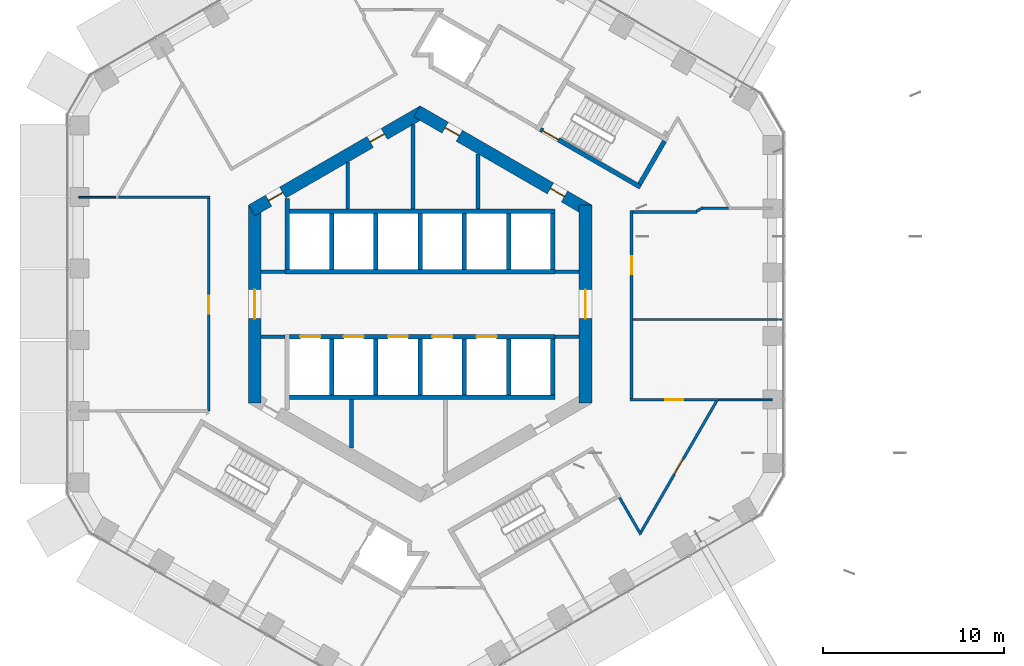
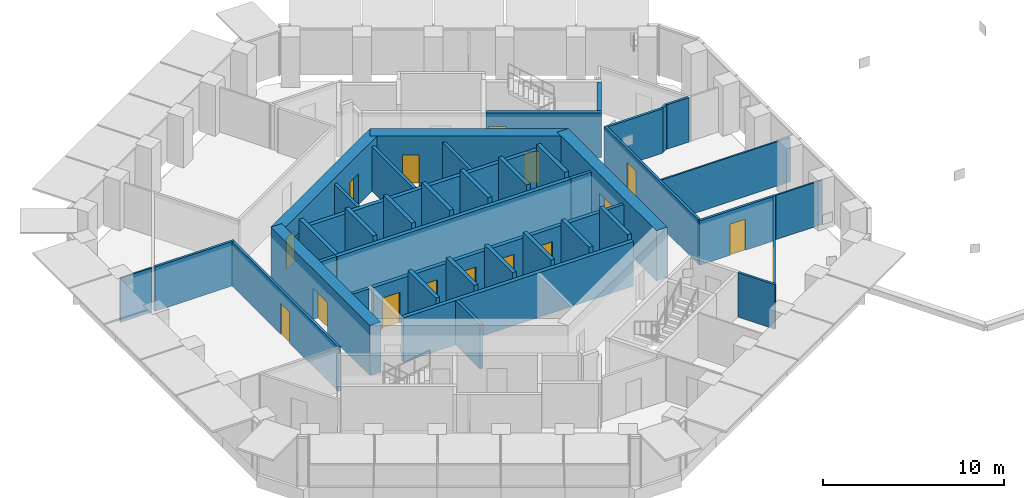
# One storey, part 14 of 21: 43 walls, 16 doors, 16 openings.
"""IFC4 building model written with IfcOpenShell, lengths in metres."""

from ifc_helpers import new_model, si_unit, direction, frame, frame_2d, origin, place, context, subcontext, project, spatial, rectangle, extrude, material, layer, layer_set, type_object, element, fill, save


model = new_model("IFC4")

# Units and contexts
model_context = context("Model", 3, precision=1e-05, world=origin(), true_north=direction((0.0, 1.0)))
body_context = subcontext(model_context, "Body", "Model", "MODEL_VIEW")
ifc_project = project(units=[si_unit("LENGTHUNIT", "METRE"), si_unit("AREAUNIT", "SQUARE_METRE"), si_unit("VOLUMEUNIT", "CUBIC_METRE"), si_unit("PLANEANGLEUNIT", "RADIAN"), si_unit("MASSUNIT", "GRAM", prefix="KILO")], contexts=[model_context])

# Site, building, storey
site_placement = place(None, origin())
site = spatial("IfcSite", under=ifc_project, at=site_placement, CompositionType="ELEMENT")
building_placement = place(site_placement, origin())
building = spatial("IfcBuilding", under=site, at=building_placement, Name="Ayvan Gate Tower", CompositionType="ELEMENT")
storey_placement = place(building_placement, frame((0.0, 0.0, 117.10009765625)))
storey = spatial("IfcBuildingStorey", under=building, at=storey_placement, Name="L31", CompositionType="ELEMENT", Elevation=117.10009765625)

# Wall, opening, door
ifc_material_1 = material(Name="Concrete C70/85", Category="concrete")
ifc_layer_1 = layer(ifc_material_1, 0.699951171875)
ifc_layer_set_1 = layer_set([ifc_layer_1], Name="Concrete C70/85")
wall_type_1 = type_object("IfcWallType", Name="Core wall 700 C70/85", PredefinedType="SHEAR", material=ifc_layer_set_1)
wall_1_placement = place(storey_placement, frame((9.14990234375, -5.48486328125, 0.0), z_axis=(0.0, 0.0, 1.0), x_axis=(0.0, 1.0, 0.0)))
wall_1 = element("IfcWall", 1, at=wall_1_placement, inside=storey, type_object=wall_type_1, Name="CORE-L31-0", PredefinedType="SHEAR", context=body_context, shape_type="SweptSolid", body=[
    extrude(rectangle(XDim=10.9697265625, YDim=0.699951171875, at=frame_2d((5.48486328125, 0.0))), origin(), (0.0, 0.0, 1.0), 3.39990234375),
])
opening_1_placement = place(wall_1_placement, frame((4.684814453125, 0.0, 0.0)))
opening_1 = element("IfcOpeningElement", 2, at=opening_1_placement, cuts=wall_1, Name="Opening L31-D37", PredefinedType="OPENING", context=body_context, shape_type="SweptSolid", body=[
    extrude(rectangle(XDim=1.60009765625, YDim=2.10009765625, at=frame_2d((0.800048828125, 1.050048828125))), frame((0.0, 0.35986328125, 0.0), z_axis=(0.0, -1.0, 0.0), x_axis=(1.0, 0.0, 0.0)), (0.0, 0.0, 1.0), 0.719970703125),
])
ifc_material_2 = material(Name="Timber door leaf", Category="wood")
door_type_1 = type_object("IfcDoorType", Name="DT-1600", OperationType="NOTDEFINED", PredefinedType="DOOR", material=ifc_material_2)
door_1_placement = place(opening_1_placement, origin())
door_1 = element("IfcDoor", 3, at=door_1_placement, inside=storey, type_object=door_type_1, Name="CD-L31-37", OperationType="SINGLE_SWING_RIGHT", OverallHeight=2.10009765625, OverallWidth=1.60009765625, PredefinedType="DOOR", context=body_context, shape_type="SweptSolid", body=[
    extrude(rectangle(XDim=1.60009765625, YDim=2.10009765625, at=frame_2d((0.800048828125, 1.050048828125))), frame((0.0, 0.02490234375, 0.0), z_axis=(0.0, -1.0, 0.0), x_axis=(1.0, 0.0, 0.0)), (0.0, 0.0, 1.0), 0.050048828125),
])
fill(opening_1, door_1)

# Wall, openings, doors
wall_2_placement = place(storey_placement, frame((9.324951171875, 5.181640625, 0.0), z_axis=(0.0, 0.0, 1.0), x_axis=(-0.866023993627, 0.500002442456, 0.0)))
wall_2 = element("IfcWall", 4, at=wall_2_placement, inside=storey, type_object=wall_type_1, Name="CORE-L31-1", PredefinedType="SHEAR", context=body_context, shape_type="SweptSolid", body=[
    extrude(rectangle(XDim=10.9697265625, YDim=0.699951171875, at=frame_2d((5.48486328125, 0.0))), origin(), (0.0, 0.0, 1.0), 3.39990234375),
])
opening_2_placement = place(wall_2_placement, frame((8.267333984375, 0.0, 0.0)))
opening_2 = element("IfcOpeningElement", 5, at=opening_2_placement, cuts=wall_2, Name="Opening L31-D32", PredefinedType="OPENING", context=body_context, shape_type="SweptSolid", body=[
    extrude(rectangle(XDim=0.89990234375, YDim=2.10009765625, at=frame_2d((0.449951171875, 1.050048828125))), frame((0.0, 0.35986328125, 0.0), z_axis=(0.0, -1.0, 0.0), x_axis=(1.0, 0.0, 0.0)), (0.0, 0.0, 1.0), 0.719970703125),
])
opening_3_placement = place(wall_2_placement, frame((1.547119140625, 0.0, 0.0)))
opening_3 = element("IfcOpeningElement", 6, at=opening_3_placement, cuts=wall_2, Name="Opening L31-D33", PredefinedType="OPENING", context=body_context, shape_type="SweptSolid", body=[
    extrude(rectangle(XDim=0.89990234375, YDim=2.10009765625, at=frame_2d((0.449951171875, 1.050048828125))), frame((0.0, 0.35986328125, 0.0), z_axis=(0.0, -1.0, 0.0), x_axis=(1.0, 0.0, 0.0)), (0.0, 0.0, 1.0), 0.719970703125),
])
door_type_2 = type_object("IfcDoorType", Name="DT-900", OperationType="NOTDEFINED", PredefinedType="DOOR", material=ifc_material_2)
door_2_placement = place(opening_2_placement, origin())
door_2 = element("IfcDoor", 7, at=door_2_placement, inside=storey, type_object=door_type_2, Name="CD-L31-32", OperationType="SINGLE_SWING_LEFT", OverallHeight=2.10009765625, OverallWidth=0.89990234375, PredefinedType="DOOR", context=body_context, shape_type="SweptSolid", body=[
    extrude(rectangle(XDim=0.89990234375, YDim=2.10009765625, at=frame_2d((0.449951171875, 1.050048828125))), frame((0.0, 0.02490234375, 0.0), z_axis=(0.0, -1.0, 0.0), x_axis=(1.0, 0.0, 0.0)), (0.0, 0.0, 1.0), 0.050048828125),
])
fill(opening_2, door_2)
door_3_placement = place(opening_3_placement, origin())
door_3 = element("IfcDoor", 8, at=door_3_placement, inside=storey, type_object=door_type_2, Name="CD-L31-33", OperationType="SINGLE_SWING_RIGHT", OverallHeight=2.10009765625, OverallWidth=0.89990234375, PredefinedType="DOOR", context=body_context, shape_type="SweptSolid", body=[
    extrude(rectangle(XDim=0.89990234375, YDim=2.10009765625, at=frame_2d((0.449951171875, 1.050048828125))), frame((0.0, 0.02490234375, 0.0), z_axis=(0.0, -1.0, 0.0), x_axis=(1.0, 0.0, 0.0)), (0.0, 0.0, 1.0), 0.050048828125),
])
fill(opening_3, door_3)

wall_3_placement = place(storey_placement, frame((0.175048828125, 10.66650390625, 0.0), z_axis=(0.0, 0.0, 1.0), x_axis=(-0.866023993627, -0.500002442456, 0.0)))
wall_3 = element("IfcWall", 9, at=wall_3_placement, inside=storey, type_object=wall_type_1, Name="CORE-L31-2", PredefinedType="SHEAR", context=body_context, shape_type="SweptSolid", body=[
    extrude(rectangle(XDim=10.9697265625, YDim=0.699951171875, at=frame_2d((5.48486328125, 0.0))), origin(), (0.0, 0.0, 1.0), 3.39990234375),
])
opening_4_placement = place(wall_3_placement, frame((8.984619140625, 0.0, 0.0)))
opening_4 = element("IfcOpeningElement", 10, at=opening_4_placement, cuts=wall_3, Name="Opening L31-D30", PredefinedType="OPENING", context=body_context, shape_type="SweptSolid", body=[
    extrude(rectangle(XDim=0.89990234375, YDim=2.10009765625, at=frame_2d((0.449951171875, 1.050048828125))), frame((0.0, 0.35986328125, 0.0), z_axis=(0.0, -1.0, 0.0), x_axis=(1.0, 0.0, 0.0)), (0.0, 0.0, 1.0), 0.719970703125),
])
opening_5_placement = place(wall_3_placement, frame((2.4951171875, 0.0, 0.0)))
opening_5 = element("IfcOpeningElement", 11, at=opening_5_placement, cuts=wall_3, Name="Opening L31-D31", PredefinedType="OPENING", context=body_context, shape_type="SweptSolid", body=[
    extrude(rectangle(XDim=0.89990234375, YDim=2.10009765625, at=frame_2d((0.449951171875, 1.050048828125))), frame((0.0, 0.35986328125, 0.0), z_axis=(0.0, -1.0, 0.0), x_axis=(1.0, 0.0, 0.0)), (0.0, 0.0, 1.0), 0.719970703125),
])
door_4_placement = place(opening_4_placement, origin())
door_4 = element("IfcDoor", 12, at=door_4_placement, inside=storey, type_object=door_type_2, Name="CD-L31-30", OperationType="SINGLE_SWING_LEFT", OverallHeight=2.10009765625, OverallWidth=0.89990234375, PredefinedType="DOOR", context=body_context, shape_type="SweptSolid", body=[
    extrude(rectangle(XDim=0.89990234375, YDim=2.10009765625, at=frame_2d((0.449951171875, 1.050048828125))), frame((0.0, 0.02490234375, 0.0), z_axis=(0.0, -1.0, 0.0), x_axis=(1.0, 0.0, 0.0)), (0.0, 0.0, 1.0), 0.050048828125),
])
fill(opening_4, door_4)
door_5_placement = place(opening_5_placement, origin())
door_5 = element("IfcDoor", 13, at=door_5_placement, inside=storey, type_object=door_type_2, Name="CD-L31-31", OperationType="SINGLE_SWING_RIGHT", OverallHeight=2.10009765625, OverallWidth=0.89990234375, PredefinedType="DOOR", context=body_context, shape_type="SweptSolid", body=[
    extrude(rectangle(XDim=0.89990234375, YDim=2.10009765625, at=frame_2d((0.449951171875, 1.050048828125))), frame((0.0, 0.02490234375, 0.0), z_axis=(0.0, -1.0, 0.0), x_axis=(1.0, 0.0, 0.0)), (0.0, 0.0, 1.0), 0.050048828125),
])
fill(opening_5, door_5)

# Wall, opening, door
wall_4_placement = place(storey_placement, frame((-9.14990234375, 5.48486328125, 0.0), z_axis=(0.0, 0.0, 1.0), x_axis=(0.0, -1.0, 0.0)))
wall_4 = element("IfcWall", 14, at=wall_4_placement, inside=storey, type_object=wall_type_1, Name="CORE-L31-3", PredefinedType="SHEAR", context=body_context, shape_type="SweptSolid", body=[
    extrude(rectangle(XDim=10.9697265625, YDim=0.699951171875, at=frame_2d((5.48486328125, 0.0))), origin(), (0.0, 0.0, 1.0), 3.39990234375),
])
opening_6_placement = place(wall_4_placement, frame((4.684814453125, 0.0, 0.0)))
opening_6 = element("IfcOpeningElement", 15, at=opening_6_placement, cuts=wall_4, Name="Opening L31-D38", PredefinedType="OPENING", context=body_context, shape_type="SweptSolid", body=[
    extrude(rectangle(XDim=1.60009765625, YDim=2.10009765625, at=frame_2d((0.800048828125, 1.050048828125))), frame((0.0, 0.35986328125, 0.0), z_axis=(0.0, -1.0, 0.0), x_axis=(1.0, 0.0, 0.0)), (0.0, 0.0, 1.0), 0.719970703125),
])
door_6_placement = place(opening_6_placement, origin())
door_6 = element("IfcDoor", 16, at=door_6_placement, inside=storey, type_object=door_type_1, Name="CD-L31-38", OperationType="SINGLE_SWING_LEFT", OverallHeight=2.10009765625, OverallWidth=1.60009765625, PredefinedType="DOOR", context=body_context, shape_type="SweptSolid", body=[
    extrude(rectangle(XDim=1.60009765625, YDim=2.10009765625, at=frame_2d((0.800048828125, 1.050048828125))), frame((0.0, 0.02490234375, 0.0), z_axis=(0.0, -1.0, 0.0), x_axis=(1.0, 0.0, 0.0)), (0.0, 0.0, 1.0), 0.050048828125),
])
fill(opening_6, door_6)

# Wall
ifc_material_3 = material(Name="Plasterboard on steel stud", Category="steel")
ifc_layer_2 = layer(ifc_material_3, 0.14990234375)
ifc_layer_set_2 = layer_set([ifc_layer_2], Name="Plasterboard on steel stud")
wall_type_2 = type_object("IfcWallType", Name="WT-CORR-150", PredefinedType="PARTITIONING", material=ifc_layer_set_2)
wall_5_placement = place(storey_placement, frame((-11.625, 5.91650390625, 0.0), z_axis=(0.0, 0.0, 1.0), x_axis=(-1.0, 0.0, 0.0)))
element("IfcWall", 17, at=wall_5_placement, inside=storey, type_object=wall_type_2, Name="IW-L31-011", PredefinedType="PARTITIONING", context=body_context, shape_type="SweptSolid", body=[
    extrude(rectangle(XDim=5.083740234375, YDim=0.14990234375, at=frame_2d((2.5419921875, 0.0))), origin(), (0.0, 0.0, 1.0), 3.0),
])

# Wall, opening, door
wall_6_placement = place(storey_placement, frame((-11.699951171875, -5.91650390625, 0.0), z_axis=(0.0, 0.0, 1.0), x_axis=(0.0, 1.0, 0.0)))
wall_6 = element("IfcWall", 18, at=wall_6_placement, inside=storey, type_object=wall_type_2, Name="IW-L31-012", PredefinedType="PARTITIONING", context=body_context, shape_type="SweptSolid", body=[
    extrude(rectangle(XDim=11.7578125, YDim=0.14990234375, at=frame_2d((5.87890625, 0.0))), origin(), (0.0, 0.0, 1.0), 3.0),
])
opening_7_placement = place(wall_6_placement, frame((5.37890625, 0.0, 0.0)))
opening_7 = element("IfcOpeningElement", 19, at=opening_7_placement, cuts=wall_6, Name="Opening L31-D22", PredefinedType="OPENING", context=body_context, shape_type="SweptSolid", body=[
    extrude(rectangle(XDim=1.0, YDim=2.10009765625, at=frame_2d((0.5, 1.050048828125))), frame((0.0, 0.0849609375, 0.0), z_axis=(0.0, -1.0, 0.0), x_axis=(1.0, 0.0, 0.0)), (0.0, 0.0, 1.0), 0.169921875),
])
door_type_3 = type_object("IfcDoorType", Name="DT-1000", OperationType="NOTDEFINED", PredefinedType="DOOR", material=ifc_material_2)
door_7_placement = place(opening_7_placement, origin())
door_7 = element("IfcDoor", 20, at=door_7_placement, inside=storey, type_object=door_type_3, Name="ID-L31-022", OperationType="SINGLE_SWING_LEFT", OverallHeight=2.10009765625, OverallWidth=1.0, PredefinedType="DOOR", context=body_context, shape_type="SweptSolid", body=[
    extrude(rectangle(XDim=1.0, YDim=2.10009765625, at=frame_2d((0.5, 1.050048828125))), frame((0.0, 0.02490234375, 0.0), z_axis=(0.0, -1.0, 0.0), x_axis=(1.0, 0.0, 0.0)), (0.0, 0.0, 1.0), 0.050048828125),
])
fill(opening_7, door_7)

wall_7_placement = place(storey_placement, frame((11.625, -5.299560546875, 0.0), z_axis=(0.0, 0.0, 1.0), x_axis=(1.0, 0.0, 0.0)))
wall_7 = element("IfcWall", 21, at=wall_7_placement, inside=storey, type_object=wall_type_2, Name="IW-L31-086", PredefinedType="PARTITIONING", context=body_context, shape_type="SweptSolid", body=[
    extrude(rectangle(XDim=4.89697265625, YDim=0.14990234375, at=frame_2d((2.448486328125, 0.0))), origin(), (0.0, 0.0, 1.0), 3.0),
])
opening_8_placement = place(wall_7_placement, frame((1.93115234375, 0.0, 0.0)))
opening_8 = element("IfcOpeningElement", 22, at=opening_8_placement, cuts=wall_7, Name="Opening L31-D17", PredefinedType="OPENING", context=body_context, shape_type="SweptSolid", body=[
    extrude(rectangle(XDim=1.0, YDim=2.10009765625, at=frame_2d((0.5, 1.050048828125))), frame((0.0, 0.0849609375, 0.0), z_axis=(0.0, -1.0, 0.0), x_axis=(1.0, 0.0, 0.0)), (0.0, 0.0, 1.0), 0.169921875),
])
door_8_placement = place(opening_8_placement, origin())
door_8 = element("IfcDoor", 23, at=door_8_placement, inside=storey, type_object=door_type_3, Name="ID-L31-017", OperationType="SINGLE_SWING_RIGHT", OverallHeight=2.10009765625, OverallWidth=1.0, PredefinedType="DOOR", context=body_context, shape_type="SweptSolid", body=[
    extrude(rectangle(XDim=1.0, YDim=2.10009765625, at=frame_2d((0.5, 1.050048828125))), frame((0.0, 0.02490234375, 0.0), z_axis=(0.0, -1.0, 0.0), x_axis=(1.0, 0.0, 0.0)), (0.0, 0.0, 1.0), 0.050048828125),
])
fill(opening_8, door_8)

wall_8_placement = place(storey_placement, frame((11.699951171875, -5.224609375, 0.0), z_axis=(0.0, 0.0, 1.0), x_axis=(0.0, 1.0, 0.0)))
wall_8 = element("IfcWall", 24, at=wall_8_placement, inside=storey, type_object=wall_type_2, Name="IW-L31-087", PredefinedType="PARTITIONING", context=body_context, shape_type="SweptSolid", body=[
    extrude(rectangle(XDim=10.399169921875, YDim=0.14990234375, at=frame_2d((5.19970703125, 0.0))), origin(), (0.0, 0.0, 1.0), 3.0),
])
opening_9_placement = place(wall_8_placement, frame((6.865478515625, 0.0, 0.0)))
opening_9 = element("IfcOpeningElement", 25, at=opening_9_placement, cuts=wall_8, Name="Opening L31-D18", PredefinedType="OPENING", context=body_context, shape_type="SweptSolid", body=[
    extrude(rectangle(XDim=1.0, YDim=2.10009765625, at=frame_2d((0.5, 1.050048828125))), frame((0.0, 0.0849609375, 0.0), z_axis=(0.0, -1.0, 0.0), x_axis=(1.0, 0.0, 0.0)), (0.0, 0.0, 1.0), 0.169921875),
])
door_9_placement = place(opening_9_placement, origin())
door_9 = element("IfcDoor", 26, at=door_9_placement, inside=storey, type_object=door_type_3, Name="ID-L31-018", OperationType="SINGLE_SWING_LEFT", OverallHeight=2.10009765625, OverallWidth=1.0, PredefinedType="DOOR", context=body_context, shape_type="SweptSolid", body=[
    extrude(rectangle(XDim=1.0, YDim=2.10009765625, at=frame_2d((0.5, 1.050048828125))), frame((0.0, 0.02490234375, 0.0), z_axis=(0.0, -1.0, 0.0), x_axis=(1.0, 0.0, 0.0)), (0.0, 0.0, 1.0), 0.050048828125),
])
fill(opening_9, door_9)

# Walls
wall_9_placement = place(storey_placement, frame((12.2158203125, -12.75830078125, 0.0), z_axis=(0.0, 0.0, 1.0), x_axis=(-0.499982474044, 0.866035522163, 0.0)))
element("IfcWall", 27, at=wall_9_placement, inside=storey, type_object=wall_type_2, Name="IW-L31-090", PredefinedType="PARTITIONING", context=body_context, shape_type="SweptSolid", body=[
    extrude(rectangle(XDim=2.35693359375, YDim=0.14990234375, at=frame_2d((1.178466796875, 0.0))), origin(), (0.0, 0.0, 1.0), 3.0),
])
wall_10_placement = place(storey_placement, frame((15.307861328125, 5.099609375, 0.0), z_axis=(0.0, 0.0, 1.0), x_axis=(-1.0, 0.0, 0.0)))
element("IfcWall", 28, at=wall_10_placement, inside=storey, type_object=wall_type_2, Name="IW-L31-096", PredefinedType="PARTITIONING", context=body_context, shape_type="SweptSolid", body=[
    extrude(rectangle(XDim=3.532958984375, YDim=0.14990234375, at=frame_2d((1.7666015625, 0.0))), origin(), (0.0, 0.0, 1.0), 3.0),
])
wall_11_placement = place(storey_placement, frame((15.64404296875, 5.337158203125, 0.0), z_axis=(0.0, 0.0, 1.0), x_axis=(-0.866094119867, -0.499880961361, 0.0)))
element("IfcWall", 29, at=wall_11_placement, inside=storey, type_object=wall_type_2, Name="IW-L31-097", PredefinedType="PARTITIONING", context=body_context, shape_type="SweptSolid", body=[
    extrude(rectangle(XDim=0.39990234375, YDim=0.14990234375, at=frame_2d((0.199951171875, 0.0))), origin(), (0.0, 0.0, 1.0), 3.0),
])

# Wall, opening, door
wall_12_placement = place(storey_placement, frame((16.409423828125, -5.364501953125, 0.0), z_axis=(0.0, 0.0, 1.0), x_axis=(-0.499980296409, -0.866036779359, 0.0)))
wall_12 = element("IfcWall", 30, at=wall_12_placement, inside=storey, type_object=wall_type_2, Name="IW-L31-098", PredefinedType="PARTITIONING", context=body_context, shape_type="SweptSolid", body=[
    extrude(rectangle(XDim=8.387451171875, YDim=0.14990234375, at=frame_2d((4.19384765625, 0.0))), origin(), (0.0, 0.0, 1.0), 3.0),
])
opening_10_placement = place(wall_12_placement, frame((3.693603515625, 0.0, 0.0)))
opening_10 = element("IfcOpeningElement", 31, at=opening_10_placement, cuts=wall_12, Name="Opening L31-D28", PredefinedType="OPENING", context=body_context, shape_type="SweptSolid", body=[
    extrude(rectangle(XDim=1.0, YDim=2.10009765625, at=frame_2d((0.5, 1.050048828125))), frame((0.0, 0.0849609375, 0.0), z_axis=(0.0, -1.0, 0.0), x_axis=(1.0, 0.0, 0.0)), (0.0, 0.0, 1.0), 0.169921875),
])
door_10_placement = place(opening_10_placement, origin())
door_10 = element("IfcDoor", 32, at=door_10_placement, inside=storey, type_object=door_type_3, Name="ID-L31-028", OperationType="SINGLE_SWING_LEFT", OverallHeight=2.10009765625, OverallWidth=1.0, PredefinedType="DOOR", context=body_context, shape_type="SweptSolid", body=[
    extrude(rectangle(XDim=1.0, YDim=2.10009765625, at=frame_2d((0.5, 1.050048828125))), frame((0.0, 0.02490234375, 0.0), z_axis=(0.0, -1.0, 0.0), x_axis=(1.0, 0.0, 0.0)), (0.0, 0.0, 1.0), 0.050048828125),
])
fill(opening_10, door_10)

# Walls
wall_13_placement = place(storey_placement, frame((17.064697265625, 5.299560546875, 0.0), z_axis=(0.0, 0.0, 1.0), x_axis=(-1.0, 0.0, 0.0)))
element("IfcWall", 33, at=wall_13_placement, inside=storey, type_object=wall_type_2, Name="IW-L31-100", PredefinedType="PARTITIONING", context=body_context, shape_type="SweptSolid", body=[
    extrude(rectangle(XDim=1.410400390625, YDim=0.14990234375, at=frame_2d((0.705078125, 0.0))), origin(), (0.0, 0.0, 1.0), 3.0),
])
ifc_layer_3 = layer(ifc_material_3, 0.10009765625)
ifc_layer_set_3 = layer_set([ifc_layer_3], Name="Plasterboard on steel stud")
wall_type_3 = type_object("IfcWallType", Name="WT-PART-100", PredefinedType="PARTITIONING", material=ifc_layer_set_3)
wall_14_placement = place(storey_placement, frame((-16.858642578125, 5.91650390625, 0.0), z_axis=(0.0, 0.0, 1.0), x_axis=(-1.0, 0.0, 0.0)))
element("IfcWall", 34, at=wall_14_placement, inside=storey, type_object=wall_type_3, Name="IW-L31-000", PredefinedType="PARTITIONING", context=body_context, shape_type="SweptSolid", body=[
    extrude(rectangle(XDim=2.033447265625, YDim=0.10009765625, at=frame_2d((1.0166015625, 0.0))), origin(), (0.0, 0.0, 1.0), 3.0),
])
wall_15_placement = place(storey_placement, frame((11.77490234375, -0.847900390625, 0.0), z_axis=(0.0, 0.0, 1.0), x_axis=(1.0, 0.0, 0.0)))
element("IfcWall", 35, at=wall_15_placement, inside=storey, type_object=wall_type_3, Name="IW-L31-088", PredefinedType="PARTITIONING", context=body_context, shape_type="SweptSolid", body=[
    extrude(rectangle(XDim=8.231689453125, YDim=0.10009765625, at=frame_2d((4.11572265625, 0.0))), origin(), (0.0, 0.0, 1.0), 3.0),
])
wall_16_placement = place(storey_placement, frame((19.485595703125, -5.299560546875, 0.0), z_axis=(0.0, 0.0, 1.0), x_axis=(-1.0, 0.0, 0.0)))
element("IfcWall", 36, at=wall_16_placement, inside=storey, type_object=wall_type_3, Name="IW-L31-101", PredefinedType="PARTITIONING", context=body_context, shape_type="SweptSolid", body=[
    extrude(rectangle(XDim=2.963623046875, YDim=0.10009765625, at=frame_2d((1.48193359375, 0.0))), origin(), (0.0, 0.0, 1.0), 3.0),
])
ifc_layer_4 = layer(ifc_material_3, 0.199951171875)
ifc_layer_set_4 = layer_set([ifc_layer_4], Name="Plasterboard on steel stud")
wall_type_4 = type_object("IfcWallType", Name="WT-RATED-200", PredefinedType="PARTITIONING", material=ifc_layer_set_4)
for number, where, z_axis, x_axis, name in (
    (37, (-8.800048828125, 1.800048828125, 0.0), (0.0, 0.0, 1.0), (1.0, 0.0, 0.0), "IW-L31-014"),
    (38, (-7.474853515625, -1.800048828125, 0.0), (0.0, 0.0, 1.0), (-1.0, 0.0, 0.0), "IW-L31-023"),
):
    element("IfcWall", number, at=place(storey_placement, frame(where, z_axis=z_axis, x_axis=x_axis)), inside=storey, type_object=wall_type_4, Name=name, PredefinedType="PARTITIONING", context=body_context, shape_type="SweptSolid", body=[
        extrude(rectangle(XDim=1.3251953125, YDim=0.199951171875, at=frame_2d((0.66259765625, 0.0))), origin(), (0.0, 0.0, 1.0), 3.0),
    ])
wall_17_placement = place(storey_placement, frame((-4.0, 7.85205078125, 0.0), z_axis=(0.0, 0.0, 1.0), x_axis=(0.0, -1.0, 0.0)))
element("IfcWall", 39, at=wall_17_placement, inside=storey, type_object=wall_type_4, Name="IW-L31-030", PredefinedType="PARTITIONING", context=body_context, shape_type="SweptSolid", body=[
    extrude(rectangle(XDim=2.5771484375, YDim=0.199951171875, at=frame_2d((1.28857421875, 0.0))), origin(), (0.0, 0.0, 1.0), 3.0),
])
wall_18_placement = place(storey_placement, frame((-3.800048828125, -5.27490234375, 0.0), z_axis=(0.0, 0.0, 1.0), x_axis=(0.0, -1.0, 0.0)))
element("IfcWall", 40, at=wall_18_placement, inside=storey, type_object=wall_type_4, Name="IW-L31-032", PredefinedType="PARTITIONING", context=body_context, shape_type="SweptSolid", body=[
    extrude(rectangle(XDim=2.6923828125, YDim=0.199951171875, at=frame_2d((1.34619140625, 0.0))), origin(), (0.0, 0.0, 1.0), 3.0),
])
wall_19_placement = place(storey_placement, frame((-0.39990234375, 9.930419921875, 0.0), z_axis=(0.0, 0.0, 1.0), x_axis=(0.0, -1.0, 0.0)))
element("IfcWall", 41, at=wall_19_placement, inside=storey, type_object=wall_type_4, Name="IW-L31-048", PredefinedType="PARTITIONING", context=body_context, shape_type="SweptSolid", body=[
    extrude(rectangle(XDim=4.655517578125, YDim=0.199951171875, at=frame_2d((2.32763671875, 0.0))), origin(), (0.0, 0.0, 1.0), 3.0),
])
wall_20_placement = place(storey_placement, frame((3.199951171875, 8.313720703125, 0.0), z_axis=(0.0, 0.0, 1.0), x_axis=(0.0, -1.0, 0.0)))
element("IfcWall", 42, at=wall_20_placement, inside=storey, type_object=wall_type_4, Name="IW-L31-064", PredefinedType="PARTITIONING", context=body_context, shape_type="SweptSolid", body=[
    extrude(rectangle(XDim=3.038818359375, YDim=0.199951171875, at=frame_2d((1.51953125, 0.0))), origin(), (0.0, 0.0, 1.0), 3.0),
])
for number, where, z_axis, x_axis, name in (
    (43, (7.474853515625, 1.800048828125, 0.0), (0.0, 0.0, 1.0), (1.0, 0.0, 0.0), "IW-L31-077"),
    (44, (8.800048828125, -1.800048828125, 0.0), (0.0, 0.0, 1.0), (-1.0, 0.0, 0.0), "IW-L31-083"),
):
    element("IfcWall", number, at=place(storey_placement, frame(where, z_axis=z_axis, x_axis=x_axis)), inside=storey, type_object=wall_type_4, Name=name, PredefinedType="PARTITIONING", context=body_context, shape_type="SweptSolid", body=[
        extrude(rectangle(XDim=1.3251953125, YDim=0.199951171875, at=frame_2d((0.66259765625, 0.0))), origin(), (0.0, 0.0, 1.0), 3.0),
    ])
ifc_material_4 = material(Name="Concrete C50/60", Category="concrete")
ifc_layer_5 = layer(ifc_material_4, 0.25)
ifc_layer_set_5 = layer_set([ifc_layer_5], Name="Concrete C50/60")
wall_type_5 = type_object("IfcWallType", Name="WT-RC-250", PredefinedType="SHEAR", material=ifc_layer_set_5)
wall_21_placement = place(storey_placement, frame((-7.47509765625, 1.800048828125, 0.0), z_axis=(0.0, 0.0, 1.0), x_axis=(1.0, 0.0, 0.0)))
element("IfcWall", 45, at=wall_21_placement, inside=storey, type_object=wall_type_5, Name="IW-L31-019", PredefinedType="SHEAR", context=body_context, shape_type="SweptSolid", body=[
    extrude(rectangle(XDim=14.9501953125, YDim=0.25, at=frame_2d((7.47509765625, 0.0))), origin(), (0.0, 0.0, 1.0), 3.0),
])
wall_22_placement = place(storey_placement, frame((-7.35009765625, 1.925048828125, 0.0), z_axis=(0.0, 0.0, 1.0), x_axis=(0.0, 1.0, 0.0)))
element("IfcWall", 46, at=wall_22_placement, inside=storey, type_object=wall_type_5, Name="IW-L31-021", PredefinedType="SHEAR", context=body_context, shape_type="SweptSolid", body=[
    extrude(rectangle(XDim=3.920654296875, YDim=0.25, at=frame_2d((1.96044921875, 0.0))), origin(), (0.0, 0.0, 1.0), 3.0),
])
for number, where, z_axis, x_axis, name in (
    (47, (-7.22509765625, 5.14990234375, 0.0), (0.0, 0.0, 1.0), (1.0, 0.0, 0.0), "IW-L31-022"),
    (48, (-7.22509765625, -5.14990234375, 0.0), (0.0, 0.0, 1.0), (1.0, 0.0, 0.0), "IW-L31-026"),
):
    element("IfcWall", number, at=place(storey_placement, frame(where, z_axis=z_axis, x_axis=x_axis)), inside=storey, type_object=wall_type_5, Name=name, PredefinedType="SHEAR", context=body_context, shape_type="SweptSolid", body=[
        extrude(rectangle(XDim=14.7001953125, YDim=0.25, at=frame_2d((7.35009765625, 0.0))), origin(), (0.0, 0.0, 1.0), 3.0),
    ])
for number, where, z_axis, x_axis, name in (
    (49, (-4.89990234375, -1.925048828125, 0.0), (0.0, 0.0, 1.0), (0.0, -1.0, 0.0), "IW-L31-027"),
    (50, (-4.89990234375, 5.02490234375, 0.0), (0.0, 0.0, 1.0), (0.0, -1.0, 0.0), "IW-L31-028"),
):
    element("IfcWall", number, at=place(storey_placement, frame(where, z_axis=z_axis, x_axis=x_axis)), inside=storey, type_object=wall_type_5, Name=name, PredefinedType="SHEAR", context=body_context, shape_type="SweptSolid", body=[
        extrude(rectangle(XDim=3.099853515625, YDim=0.25, at=frame_2d((1.5498046875, 0.0))), origin(), (0.0, 0.0, 1.0), 3.39990234375),
    ])

# Wall, openings, doors
wall_23_placement = place(storey_placement, frame((-7.22509765625, -1.800048828125, 0.0), z_axis=(0.0, 0.0, 1.0), x_axis=(1.0, 0.0, 0.0)))
wall_23 = element("IfcWall", 51, at=wall_23_placement, inside=storey, type_object=wall_type_5, Name="IW-L31-029", PredefinedType="SHEAR", context=body_context, shape_type="SweptSolid", body=[
    extrude(rectangle(XDim=14.7001953125, YDim=0.25, at=frame_2d((7.35009765625, 0.0))), origin(), (0.0, 0.0, 1.0), 3.0),
])
opening_11_placement = place(wall_23_placement, frame((0.597412109375, 0.0, 0.0)))
opening_11 = element("IfcOpeningElement", 52, at=opening_11_placement, cuts=wall_23, Name="Opening L31-LD-LR1", PredefinedType="OPENING", context=body_context, shape_type="SweptSolid", body=[
    extrude(rectangle(XDim=1.10009765625, YDim=2.10009765625, at=frame_2d((0.550048828125, 1.050048828125))), frame((0.0, 0.135009765625, 0.0), z_axis=(0.0, -1.0, 0.0), x_axis=(1.0, 0.0, 0.0)), (0.0, 0.0, 1.0), 0.27001953125),
])
opening_12_placement = place(wall_23_placement, frame((3.0, 0.0, 0.0)))
opening_12 = element("IfcOpeningElement", 53, at=opening_12_placement, cuts=wall_23, Name="Opening L31-LD-LR2", PredefinedType="OPENING", context=body_context, shape_type="SweptSolid", body=[
    extrude(rectangle(XDim=1.10009765625, YDim=2.10009765625, at=frame_2d((0.550048828125, 1.050048828125))), frame((0.0, 0.135009765625, 0.0), z_axis=(0.0, -1.0, 0.0), x_axis=(1.0, 0.0, 0.0)), (0.0, 0.0, 1.0), 0.27001953125),
])
opening_13_placement = place(wall_23_placement, frame((5.4501953125, 0.0, 0.0)))
opening_13 = element("IfcOpeningElement", 54, at=opening_13_placement, cuts=wall_23, Name="Opening L31-LD-LR3", PredefinedType="OPENING", context=body_context, shape_type="SweptSolid", body=[
    extrude(rectangle(XDim=1.10009765625, YDim=2.10009765625, at=frame_2d((0.550048828125, 1.050048828125))), frame((0.0, 0.135009765625, 0.0), z_axis=(0.0, -1.0, 0.0), x_axis=(1.0, 0.0, 0.0)), (0.0, 0.0, 1.0), 0.27001953125),
])
opening_14_placement = place(wall_23_placement, frame((7.900146484375, 0.0, 0.0)))
opening_14 = element("IfcOpeningElement", 55, at=opening_14_placement, cuts=wall_23, Name="Opening L31-LD-LR4", PredefinedType="OPENING", context=body_context, shape_type="SweptSolid", body=[
    extrude(rectangle(XDim=1.10009765625, YDim=2.10009765625, at=frame_2d((0.550048828125, 1.050048828125))), frame((0.0, 0.135009765625, 0.0), z_axis=(0.0, -1.0, 0.0), x_axis=(1.0, 0.0, 0.0)), (0.0, 0.0, 1.0), 0.27001953125),
])
opening_15_placement = place(wall_23_placement, frame((10.35009765625, 0.0, 0.0)))
opening_15 = element("IfcOpeningElement", 56, at=opening_15_placement, cuts=wall_23, Name="Opening L31-LD-SV", PredefinedType="OPENING", context=body_context, shape_type="SweptSolid", body=[
    extrude(rectangle(XDim=1.10009765625, YDim=2.10009765625, at=frame_2d((0.550048828125, 1.050048828125))), frame((0.0, 0.135009765625, 0.0), z_axis=(0.0, -1.0, 0.0), x_axis=(1.0, 0.0, 0.0)), (0.0, 0.0, 1.0), 0.27001953125),
])
ifc_material_5 = material(Name="Stainless steel landing door", Category="steel")
door_type_4 = type_object("IfcDoorType", Name="DT-LANDING-1100", OperationType="SLIDING_TO_LEFT", PredefinedType="DOOR", material=ifc_material_5)
door_11_placement = place(opening_11_placement, origin())
door_11 = element("IfcDoor", 57, at=door_11_placement, inside=storey, type_object=door_type_4, Name="ID-L31-001", OperationType="SLIDING_TO_LEFT", OverallHeight=2.10009765625, OverallWidth=1.10009765625, PredefinedType="DOOR", context=body_context, shape_type="SweptSolid", body=[
    extrude(rectangle(XDim=1.10009765625, YDim=2.10009765625, at=frame_2d((0.550048828125, 1.050048828125))), frame((0.0, 0.02490234375, 0.0), z_axis=(0.0, -1.0, 0.0), x_axis=(1.0, 0.0, 0.0)), (0.0, 0.0, 1.0), 0.050048828125),
])
fill(opening_11, door_11)
door_12_placement = place(opening_12_placement, origin())
door_12 = element("IfcDoor", 58, at=door_12_placement, inside=storey, type_object=door_type_4, Name="ID-L31-002", OperationType="SLIDING_TO_LEFT", OverallHeight=2.10009765625, OverallWidth=1.10009765625, PredefinedType="DOOR", context=body_context, shape_type="SweptSolid", body=[
    extrude(rectangle(XDim=1.10009765625, YDim=2.10009765625, at=frame_2d((0.550048828125, 1.050048828125))), frame((0.0, 0.02490234375, 0.0), z_axis=(0.0, -1.0, 0.0), x_axis=(1.0, 0.0, 0.0)), (0.0, 0.0, 1.0), 0.050048828125),
])
fill(opening_12, door_12)
door_13_placement = place(opening_13_placement, origin())
door_13 = element("IfcDoor", 59, at=door_13_placement, inside=storey, type_object=door_type_4, Name="ID-L31-003", OperationType="SLIDING_TO_LEFT", OverallHeight=2.10009765625, OverallWidth=1.10009765625, PredefinedType="DOOR", context=body_context, shape_type="SweptSolid", body=[
    extrude(rectangle(XDim=1.10009765625, YDim=2.10009765625, at=frame_2d((0.550048828125, 1.050048828125))), frame((0.0, 0.02490234375, 0.0), z_axis=(0.0, -1.0, 0.0), x_axis=(1.0, 0.0, 0.0)), (0.0, 0.0, 1.0), 0.050048828125),
])
fill(opening_13, door_13)
door_14_placement = place(opening_14_placement, origin())
door_14 = element("IfcDoor", 60, at=door_14_placement, inside=storey, type_object=door_type_4, Name="ID-L31-004", OperationType="SLIDING_TO_LEFT", OverallHeight=2.10009765625, OverallWidth=1.10009765625, PredefinedType="DOOR", context=body_context, shape_type="SweptSolid", body=[
    extrude(rectangle(XDim=1.10009765625, YDim=2.10009765625, at=frame_2d((0.550048828125, 1.050048828125))), frame((0.0, 0.02490234375, 0.0), z_axis=(0.0, -1.0, 0.0), x_axis=(1.0, 0.0, 0.0)), (0.0, 0.0, 1.0), 0.050048828125),
])
fill(opening_14, door_14)
door_15_placement = place(opening_15_placement, origin())
door_15 = element("IfcDoor", 61, at=door_15_placement, inside=storey, type_object=door_type_4, Name="ID-L31-005", OperationType="SLIDING_TO_LEFT", OverallHeight=2.10009765625, OverallWidth=1.10009765625, PredefinedType="DOOR", context=body_context, shape_type="SweptSolid", body=[
    extrude(rectangle(XDim=1.10009765625, YDim=2.10009765625, at=frame_2d((0.550048828125, 1.050048828125))), frame((0.0, 0.02490234375, 0.0), z_axis=(0.0, -1.0, 0.0), x_axis=(1.0, 0.0, 0.0)), (0.0, 0.0, 1.0), 0.050048828125),
])
fill(opening_15, door_15)

# Walls
for number, where, z_axis, x_axis, name in (
    (62, (-2.449951171875, -1.925048828125, 0.0), (0.0, 0.0, 1.0), (0.0, -1.0, 0.0), "IW-L31-041"),
    (63, (-2.449951171875, 5.02490234375, 0.0), (0.0, 0.0, 1.0), (0.0, -1.0, 0.0), "IW-L31-042"),
    (64, (0.0, -1.925048828125, 0.0), (0.0, 0.0, 1.0), (0.0, -1.0, 0.0), "IW-L31-050"),
    (65, (0.0, 5.02490234375, 0.0), (0.0, 0.0, 1.0), (0.0, -1.0, 0.0), "IW-L31-051"),
    (66, (2.449951171875, -1.925048828125, 0.0), (0.0, 0.0, 1.0), (0.0, -1.0, 0.0), "IW-L31-058"),
    (67, (2.449951171875, 5.02490234375, 0.0), (0.0, 0.0, 1.0), (0.0, -1.0, 0.0), "IW-L31-059"),
    (68, (4.89990234375, -1.925048828125, 0.0), (0.0, 0.0, 1.0), (0.0, -1.0, 0.0), "IW-L31-069"),
    (69, (4.89990234375, 5.02490234375, 0.0), (0.0, 0.0, 1.0), (0.0, -1.0, 0.0), "IW-L31-070"),
    (70, (7.35009765625, -1.925048828125, 0.0), (0.0, 0.0, 1.0), (0.0, -1.0, 0.0), "IW-L31-078"),
    (71, (7.35009765625, 5.02490234375, 0.0), (0.0, 0.0, 1.0), (0.0, -1.0, 0.0), "IW-L31-079"),
):
    element("IfcWall", number, at=place(storey_placement, frame(where, z_axis=z_axis, x_axis=x_axis)), inside=storey, type_object=wall_type_5, Name=name, PredefinedType="SHEAR", context=body_context, shape_type="SweptSolid", body=[
        extrude(rectangle(XDim=3.099853515625, YDim=0.25, at=frame_2d((1.5498046875, 0.0))), origin(), (0.0, 0.0, 1.0), 3.39990234375),
    ])

# Wall, opening, door
wall_24_placement = place(storey_placement, frame((12.193603515625, 6.469970703125, 0.0), z_axis=(0.0, 0.0, 1.0), x_axis=(-0.866025499775, 0.499999833739, 0.0)))
wall_24 = element("IfcWall", 72, at=wall_24_placement, inside=storey, type_object=wall_type_5, Name="IW-L31-089", PredefinedType="SHEAR", context=body_context, shape_type="SweptSolid", body=[
    extrude(rectangle(XDim=6.39990234375, YDim=0.25, at=frame_2d((3.199951171875, 0.0))), origin(), (0.0, 0.0, 1.0), 3.0),
])
opening_16_placement = place(wall_24_placement, frame((5.25, 0.0, 0.0)))
opening_16 = element("IfcOpeningElement", 73, at=opening_16_placement, cuts=wall_24, Name="Opening L31-D06", PredefinedType="OPENING", context=body_context, shape_type="SweptSolid", body=[
    extrude(rectangle(XDim=1.0, YDim=2.10009765625, at=frame_2d((0.5, 1.050048828125))), frame((0.0, 0.135009765625, 0.0), z_axis=(0.0, -1.0, 0.0), x_axis=(1.0, 0.0, 0.0)), (0.0, 0.0, 1.0), 0.27001953125),
])
door_16_placement = place(opening_16_placement, origin())
door_16 = element("IfcDoor", 74, at=door_16_placement, inside=storey, type_object=door_type_3, Name="ID-L31-006", OperationType="SINGLE_SWING_LEFT", OverallHeight=2.10009765625, OverallWidth=1.0, PredefinedType="DOOR", context=body_context, shape_type="SweptSolid", body=[
    extrude(rectangle(XDim=1.0, YDim=2.10009765625, at=frame_2d((0.5, 1.050048828125))), frame((0.0, 0.02490234375, 0.0), z_axis=(0.0, -1.0, 0.0), x_axis=(1.0, 0.0, 0.0)), (0.0, 0.0, 1.0), 0.050048828125),
])
fill(opening_16, door_16)

# Wall
wall_25_placement = place(storey_placement, frame((13.52294921875, 9.022216796875, 0.0), z_axis=(0.0, 0.0, 1.0), x_axis=(-0.500034990121, -0.866005201286, 0.0)))
element("IfcWall", 75, at=wall_25_placement, inside=storey, type_object=wall_type_5, Name="IW-L31-093", PredefinedType="SHEAR", context=body_context, shape_type="SweptSolid", body=[
    extrude(rectangle(XDim=2.749755859375, YDim=0.25, at=frame_2d((1.375, 0.0))), origin(), (0.0, 0.0, 1.0), 3.0),
])

save(model, "model.ifc")
